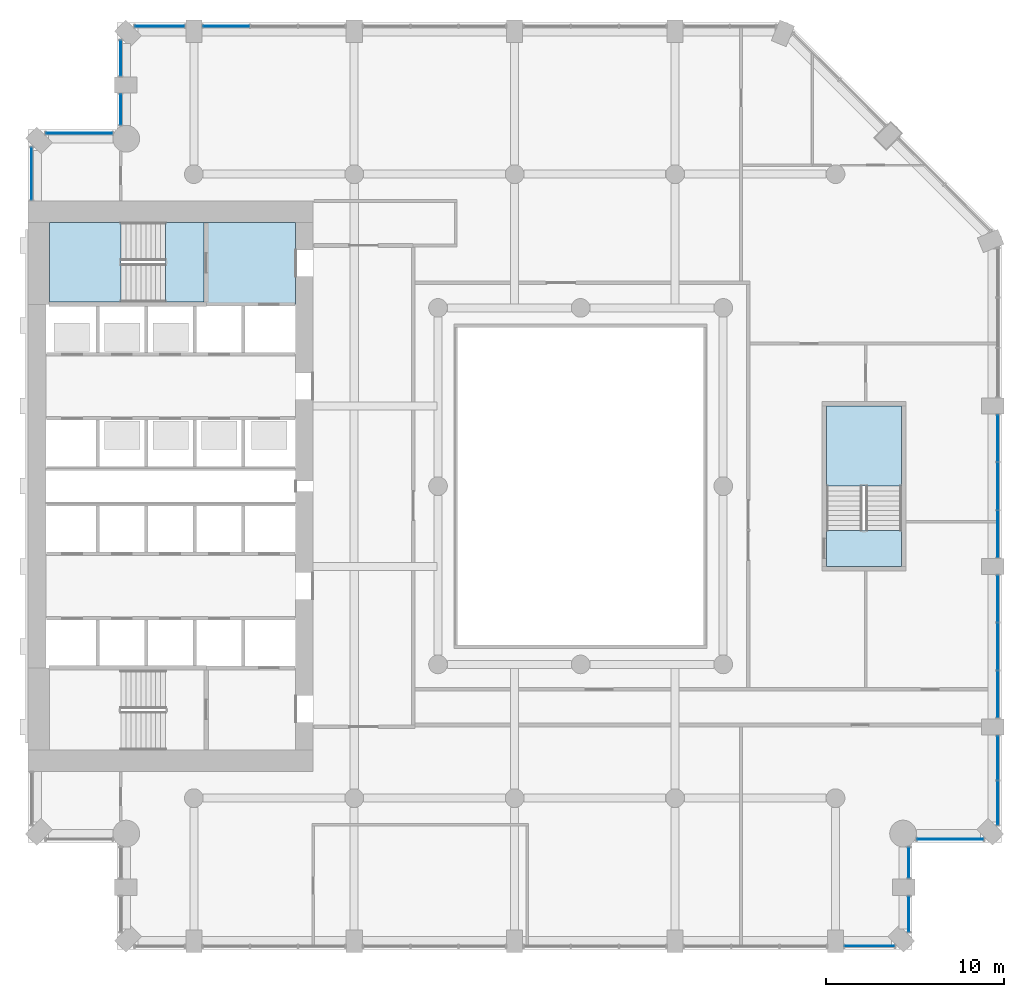
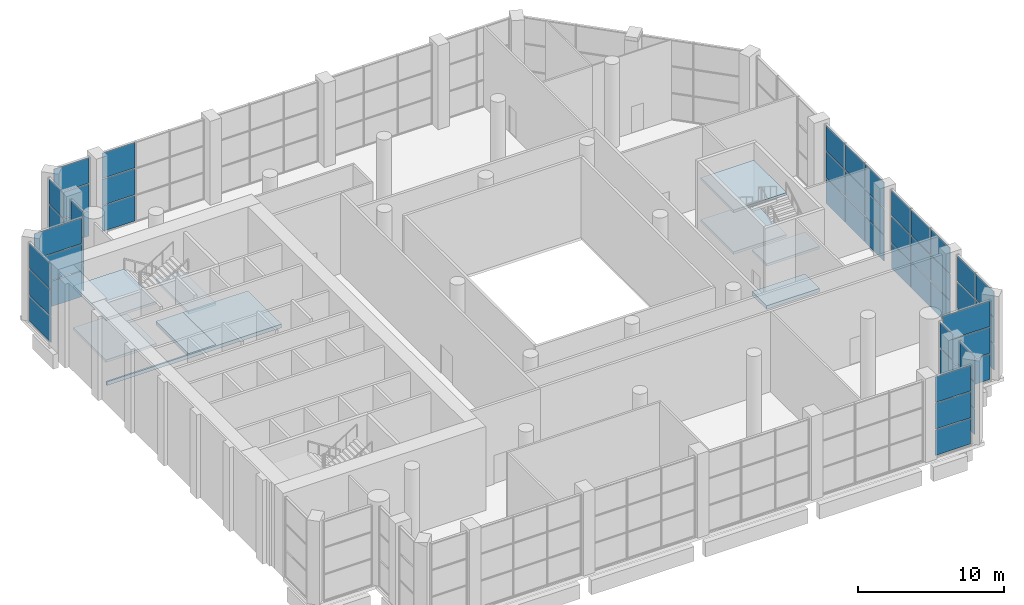
# One storey, part 10 of 22: 54 plates, 9 slabs, 15 elements without a shape of their own.
"""IFC4 building model written with IfcOpenShell, lengths in metres."""

from ifc_helpers import new_model, si_unit, direction, frame, origin, origin_2d, place, context, subcontext, project, spatial, polyline, rectangle, outline, extrude, material, layer, layer_set, type_object, element, aggregate, save


model = new_model("IFC4")

# Units and contexts
model_context = context("Model", 3, precision=1e-05, world=origin(), true_north=direction((0.0, 1.0)))
body_context = subcontext(model_context, "Body", "Model", "MODEL_VIEW")
ifc_project = project(units=[si_unit("LENGTHUNIT", "METRE"), si_unit("AREAUNIT", "SQUARE_METRE"), si_unit("VOLUMEUNIT", "CUBIC_METRE"), si_unit("PLANEANGLEUNIT", "RADIAN"), si_unit("MASSUNIT", "GRAM", prefix="KILO")], contexts=[model_context])

# Site, building, storey
site_placement = place(None, origin())
site = spatial("IfcSite", under=ifc_project, at=site_placement, CompositionType="ELEMENT")
building_placement = place(site_placement, origin())
building = spatial("IfcBuilding", under=site, at=building_placement, Name="Cypress Arch Tower", CompositionType="ELEMENT")
storey_placement = place(building_placement, frame((0.0, 0.0, 145.5)))
storey = spatial("IfcBuildingStorey", under=building, at=storey_placement, Name="L32", CompositionType="ELEMENT", Elevation=145.5)

# Slabs
ifc_material_1 = material(Name="Concrete C40/50", Category="concrete")
ifc_layer_1 = layer(ifc_material_1, 0.300048828125)
ifc_layer_set_1 = layer_set([ifc_layer_1], Name="Core floor CF300")
slab_type_1 = type_object("IfcSlabType", Name="Core floor CF300", PredefinedType="FLOOR", material=ifc_layer_set_1)
slab_1_placement = place(storey_placement, frame((0.0, 0.0, -0.300048828125)))
element("IfcSlab", 1, at=slab_1_placement, inside=storey, type_object=slab_type_1, Name="Core floor", PredefinedType="FLOOR", context=body_context, shape_type="SweptSolid", body=[
    extrude(outline(polyline([(-28.800048828125, 10.324951171875), (-28.800048828125, 10.199951171875), (-26.080078125, 10.199951171875), (-23.360107421875, 10.199951171875), (-20.639892578125, 10.199951171875), (-17.919921875, 10.199951171875), (-15.0, 10.199951171875), (-15.0, 14.800048828125), (-20.125, 14.800048828125), (-20.125, 10.324951171875), (-22.27490234375, 10.324951171875), (-28.800048828125, 10.324951171875)])), origin(), (0.0, 0.0, 1.0), 0.300048828125),
])
slab_2_placement = place(storey_placement, frame((0.0, 0.0, -0.300048828125)))
element("IfcSlab", 2, at=slab_2_placement, inside=storey, type_object=slab_type_1, Name="Core floor", PredefinedType="FLOOR", context=body_context, shape_type="SweptSolid", body=[
    extrude(outline(polyline([(-20.125, 14.800048828125), (-22.27490234375, 14.800048828125), (-22.27490234375, 10.324951171875), (-20.125, 10.324951171875), (-20.125, 14.800048828125)])), origin(), (0.0, 0.0, 1.0), 0.300048828125),
])
slab_3_placement = place(storey_placement, frame((0.0, 0.0, -0.300048828125)))
element("IfcSlab", 3, at=slab_3_placement, inside=storey, type_object=slab_type_1, Name="Stair floor landing", PredefinedType="FLOOR", context=body_context, shape_type="SweptSolid", body=[
    extrude(outline(polyline([(19.0, -4.5), (19.0, -2.5), (14.800048828125, -2.5), (14.800048828125, -4.5), (19.0, -4.5)])), origin(), (0.0, 0.0, 1.0), 0.300048828125),
])

# Curtain wall, plates
ifc_material_2 = material(Name="Anodised aluminium, bronze finish, solar control laminated double glazing", Category="aluminium")
curtain_wall_type = type_object("IfcCurtainWallType", Name="Curtain wall CW3 sky lobby glazing", PredefinedType="NOTDEFINED", material=ifc_material_2)
curtain_wall_1_placement = place(storey_placement, origin())
curtain_wall_1 = element("IfcCurtainWall", 4, at=curtain_wall_1_placement, inside=storey, type_object=curtain_wall_type, Name="Curtain wall L32 A00.0.1", PredefinedType="NOTDEFINED")
ifc_material_3 = material(Name="Solar control laminated double glazing", Category="glass")
ifc_layer_2 = layer(ifc_material_3, 0.0439453125)
ifc_layer_set_2 = layer_set([ifc_layer_2], Name="Glass panel CW3 44")
plate_type = type_object("IfcPlateType", Name="Glass panel CW3 44", PredefinedType="CURTAIN_PANEL", material=ifc_layer_set_2)
plate_1_placement = place(storey_placement, frame((-29.800048828125, 17.53173828125, 0.0751953125), z_axis=(0.0, 0.0, 1.0), x_axis=(0.0, -1.0, 0.0)))
plate_1 = element("IfcPlate", 5, at=plate_1_placement, type_object=plate_type, Name="CW3 panel 1.1", PredefinedType="CURTAIN_PANEL", context=body_context, shape_type="SweptSolid", body=[
    extrude(rectangle(XDim=2.91357421875, YDim=0.0439453125, at=origin_2d()), origin(), (0.0, 0.0, 1.0), 2.120849609375),
])
plate_2_placement = place(storey_placement, frame((-29.800048828125, 17.53173828125, 2.27099609375), z_axis=(0.0, 0.0, 1.0), x_axis=(0.0, -1.0, 0.0)))
plate_2 = element("IfcPlate", 6, at=plate_2_placement, type_object=plate_type, Name="CW3 panel 1.2", PredefinedType="CURTAIN_PANEL", context=body_context, shape_type="SweptSolid", body=[
    extrude(rectangle(XDim=2.91357421875, YDim=0.0439453125, at=origin_2d()), origin(), (0.0, 0.0, 1.0), 2.158447265625),
])
plate_3_placement = place(storey_placement, frame((-29.800048828125, 17.53173828125, 4.50439453125), z_axis=(0.0, 0.0, 1.0), x_axis=(0.0, -1.0, 0.0)))
plate_3 = element("IfcPlate", 7, at=plate_3_placement, type_object=plate_type, Name="CW3 panel 1.3", PredefinedType="CURTAIN_PANEL", context=body_context, shape_type="SweptSolid", body=[
    extrude(rectangle(XDim=2.91357421875, YDim=0.0439453125, at=origin_2d()), origin(), (0.0, 0.0, 1.0), 2.120849609375),
])
aggregate(curtain_wall_1, [plate_1, plate_2, plate_3])

curtain_wall_2_placement = place(storey_placement, origin())
curtain_wall_2 = element("IfcCurtainWall", 8, at=curtain_wall_2_placement, inside=storey, type_object=curtain_wall_type, Name="Curtain wall L32 A03.5.1", PredefinedType="NOTDEFINED")
plate_4_placement = place(storey_placement, frame((17.206787109375, -25.800048828125, 0.0751953125), z_axis=(0.0, 0.0, 1.0), x_axis=(1.0, 0.0, 0.0)))
plate_4 = element("IfcPlate", 9, at=plate_4_placement, type_object=plate_type, Name="CW3 panel 1.1", PredefinedType="CURTAIN_PANEL", context=body_context, shape_type="SweptSolid", body=[
    extrude(rectangle(XDim=2.763671875, YDim=0.0439453125, at=origin_2d()), origin(), (0.0, 0.0, 1.0), 2.120849609375),
])
plate_5_placement = place(storey_placement, frame((17.206787109375, -25.800048828125, 2.27099609375), z_axis=(0.0, 0.0, 1.0), x_axis=(1.0, 0.0, 0.0)))
plate_5 = element("IfcPlate", 10, at=plate_5_placement, type_object=plate_type, Name="CW3 panel 1.2", PredefinedType="CURTAIN_PANEL", context=body_context, shape_type="SweptSolid", body=[
    extrude(rectangle(XDim=2.763671875, YDim=0.0439453125, at=origin_2d()), origin(), (0.0, 0.0, 1.0), 2.158447265625),
])
plate_6_placement = place(storey_placement, frame((17.206787109375, -25.800048828125, 4.50439453125), z_axis=(0.0, 0.0, 1.0), x_axis=(1.0, 0.0, 0.0)))
plate_6 = element("IfcPlate", 11, at=plate_6_placement, type_object=plate_type, Name="CW3 panel 1.3", PredefinedType="CURTAIN_PANEL", context=body_context, shape_type="SweptSolid", body=[
    extrude(rectangle(XDim=2.763671875, YDim=0.0439453125, at=origin_2d()), origin(), (0.0, 0.0, 1.0), 2.120849609375),
])
aggregate(curtain_wall_2, [plate_4, plate_5, plate_6])

curtain_wall_3_placement = place(storey_placement, origin())
curtain_wall_3 = element("IfcCurtainWall", 12, at=curtain_wall_3_placement, inside=storey, type_object=curtain_wall_type, Name="Curtain wall L32 A04.0.1", PredefinedType="NOTDEFINED")
plate_7_placement = place(storey_placement, frame((19.39990234375, -24.0068359375, 0.0751953125), z_axis=(0.0, 0.0, 1.0), x_axis=(0.0, 1.0, 0.0)))
plate_7 = element("IfcPlate", 13, at=plate_7_placement, type_object=plate_type, Name="CW3 panel 1.1", PredefinedType="CURTAIN_PANEL", context=body_context, shape_type="SweptSolid", body=[
    extrude(rectangle(XDim=1.963623046875, YDim=0.0439453125, at=origin_2d()), origin(), (0.0, 0.0, 1.0), 2.120849609375),
])
plate_8_placement = place(storey_placement, frame((19.39990234375, -24.0068359375, 2.27099609375), z_axis=(0.0, 0.0, 1.0), x_axis=(0.0, 1.0, 0.0)))
plate_8 = element("IfcPlate", 14, at=plate_8_placement, type_object=plate_type, Name="CW3 panel 1.2", PredefinedType="CURTAIN_PANEL", context=body_context, shape_type="SweptSolid", body=[
    extrude(rectangle(XDim=1.963623046875, YDim=0.0439453125, at=origin_2d()), origin(), (0.0, 0.0, 1.0), 2.158447265625),
])
plate_9_placement = place(storey_placement, frame((19.39990234375, -24.0068359375, 4.50439453125), z_axis=(0.0, 0.0, 1.0), x_axis=(0.0, 1.0, 0.0)))
plate_9 = element("IfcPlate", 15, at=plate_9_placement, type_object=plate_type, Name="CW3 panel 1.3", PredefinedType="CURTAIN_PANEL", context=body_context, shape_type="SweptSolid", body=[
    extrude(rectangle(XDim=1.963623046875, YDim=0.0439453125, at=origin_2d()), origin(), (0.0, 0.0, 1.0), 2.120849609375),
])
aggregate(curtain_wall_3, [plate_7, plate_8, plate_9])

curtain_wall_4_placement = place(storey_placement, origin())
curtain_wall_4 = element("IfcCurtainWall", 16, at=curtain_wall_4_placement, inside=storey, type_object=curtain_wall_type, Name="Curtain wall L32 A04.1.1", PredefinedType="NOTDEFINED")
plate_10_placement = place(storey_placement, frame((19.39990234375, -21.12841796875, 0.0751953125), z_axis=(0.0, 0.0, 1.0), x_axis=(0.0, 1.0, 0.0)))
plate_10 = element("IfcPlate", 17, at=plate_10_placement, type_object=plate_type, Name="CW3 panel 1.1", PredefinedType="CURTAIN_PANEL", context=body_context, shape_type="SweptSolid", body=[
    extrude(rectangle(XDim=1.693115234375, YDim=0.0439453125, at=origin_2d()), origin(), (0.0, 0.0, 1.0), 2.120849609375),
])
plate_11_placement = place(storey_placement, frame((19.39990234375, -21.12841796875, 2.27099609375), z_axis=(0.0, 0.0, 1.0), x_axis=(0.0, 1.0, 0.0)))
plate_11 = element("IfcPlate", 18, at=plate_11_placement, type_object=plate_type, Name="CW3 panel 1.2", PredefinedType="CURTAIN_PANEL", context=body_context, shape_type="SweptSolid", body=[
    extrude(rectangle(XDim=1.693115234375, YDim=0.0439453125, at=origin_2d()), origin(), (0.0, 0.0, 1.0), 2.158447265625),
])
plate_12_placement = place(storey_placement, frame((19.39990234375, -21.12841796875, 4.50439453125), z_axis=(0.0, 0.0, 1.0), x_axis=(0.0, 1.0, 0.0)))
plate_12 = element("IfcPlate", 19, at=plate_12_placement, type_object=plate_type, Name="CW3 panel 1.3", PredefinedType="CURTAIN_PANEL", context=body_context, shape_type="SweptSolid", body=[
    extrude(rectangle(XDim=1.693115234375, YDim=0.0439453125, at=origin_2d()), origin(), (0.0, 0.0, 1.0), 2.120849609375),
])
aggregate(curtain_wall_4, [plate_10, plate_11, plate_12])

curtain_wall_5_placement = place(storey_placement, origin())
curtain_wall_5 = element("IfcCurtainWall", 20, at=curtain_wall_5_placement, inside=storey, type_object=curtain_wall_type, Name="Curtain wall L32 A05.0.1", PredefinedType="NOTDEFINED")
plate_13_placement = place(storey_placement, frame((21.7353515625, -19.800048828125, 0.0751953125), z_axis=(0.0, 0.0, 1.0), x_axis=(1.0, 0.0, 0.0)))
plate_13 = element("IfcPlate", 21, at=plate_13_placement, type_object=plate_type, Name="CW3 panel 1.1", PredefinedType="CURTAIN_PANEL", context=body_context, shape_type="SweptSolid", body=[
    extrude(rectangle(XDim=3.70654296875, YDim=0.0439453125, at=origin_2d()), origin(), (0.0, 0.0, 1.0), 2.120849609375),
])
plate_14_placement = place(storey_placement, frame((21.7353515625, -19.800048828125, 2.27099609375), z_axis=(0.0, 0.0, 1.0), x_axis=(1.0, 0.0, 0.0)))
plate_14 = element("IfcPlate", 22, at=plate_14_placement, type_object=plate_type, Name="CW3 panel 1.2", PredefinedType="CURTAIN_PANEL", context=body_context, shape_type="SweptSolid", body=[
    extrude(rectangle(XDim=3.70654296875, YDim=0.0439453125, at=origin_2d()), origin(), (0.0, 0.0, 1.0), 2.158447265625),
])
plate_15_placement = place(storey_placement, frame((21.7353515625, -19.800048828125, 4.50439453125), z_axis=(0.0, 0.0, 1.0), x_axis=(1.0, 0.0, 0.0)))
plate_15 = element("IfcPlate", 23, at=plate_15_placement, type_object=plate_type, Name="CW3 panel 1.3", PredefinedType="CURTAIN_PANEL", context=body_context, shape_type="SweptSolid", body=[
    extrude(rectangle(XDim=3.70654296875, YDim=0.0439453125, at=origin_2d()), origin(), (0.0, 0.0, 1.0), 2.120849609375),
])
aggregate(curtain_wall_5, [plate_13, plate_14, plate_15])

curtain_wall_6_placement = place(storey_placement, origin())
curtain_wall_6 = element("IfcCurtainWall", 24, at=curtain_wall_6_placement, inside=storey, type_object=curtain_wall_type, Name="Curtain wall L32 A06.0.1", PredefinedType="NOTDEFINED")
plate_16_placement = place(storey_placement, frame((24.39990234375, -17.766357421875, 0.0751953125), z_axis=(0.0, 0.0, 1.0), x_axis=(0.0, 1.0, 0.0)))
plate_16 = element("IfcPlate", 25, at=plate_16_placement, type_object=plate_type, Name="CW3 panel 1.1", PredefinedType="CURTAIN_PANEL", context=body_context, shape_type="SweptSolid", body=[
    extrude(rectangle(XDim=2.4443359375, YDim=0.0439453125, at=origin_2d()), origin(), (0.0, 0.0, 1.0), 2.120849609375),
])
plate_17_placement = place(storey_placement, frame((24.39990234375, -17.766357421875, 2.27099609375), z_axis=(0.0, 0.0, 1.0), x_axis=(0.0, 1.0, 0.0)))
plate_17 = element("IfcPlate", 26, at=plate_17_placement, type_object=plate_type, Name="CW3 panel 1.2", PredefinedType="CURTAIN_PANEL", context=body_context, shape_type="SweptSolid", body=[
    extrude(rectangle(XDim=2.4443359375, YDim=0.0439453125, at=origin_2d()), origin(), (0.0, 0.0, 1.0), 2.158447265625),
])
plate_18_placement = place(storey_placement, frame((24.39990234375, -17.766357421875, 4.50439453125), z_axis=(0.0, 0.0, 1.0), x_axis=(0.0, 1.0, 0.0)))
plate_18 = element("IfcPlate", 27, at=plate_18_placement, type_object=plate_type, Name="CW3 panel 1.3", PredefinedType="CURTAIN_PANEL", context=body_context, shape_type="SweptSolid", body=[
    extrude(rectangle(XDim=2.4443359375, YDim=0.0439453125, at=origin_2d()), origin(), (0.0, 0.0, 1.0), 2.120849609375),
])
plate_19_placement = place(storey_placement, frame((24.39990234375, -15.2470703125, 0.0751953125), z_axis=(0.0, 0.0, 1.0), x_axis=(0.0, 1.0, 0.0)))
plate_19 = element("IfcPlate", 28, at=plate_19_placement, type_object=plate_type, Name="CW3 panel 2.1", PredefinedType="CURTAIN_PANEL", context=body_context, shape_type="SweptSolid", body=[
    extrude(rectangle(XDim=2.4443359375, YDim=0.0439453125, at=origin_2d()), origin(), (0.0, 0.0, 1.0), 2.120849609375),
])
plate_20_placement = place(storey_placement, frame((24.39990234375, -15.2470703125, 2.27099609375), z_axis=(0.0, 0.0, 1.0), x_axis=(0.0, 1.0, 0.0)))
plate_20 = element("IfcPlate", 29, at=plate_20_placement, type_object=plate_type, Name="CW3 panel 2.2", PredefinedType="CURTAIN_PANEL", context=body_context, shape_type="SweptSolid", body=[
    extrude(rectangle(XDim=2.4443359375, YDim=0.0439453125, at=origin_2d()), origin(), (0.0, 0.0, 1.0), 2.158447265625),
])
plate_21_placement = place(storey_placement, frame((24.39990234375, -15.2470703125, 4.50439453125), z_axis=(0.0, 0.0, 1.0), x_axis=(0.0, 1.0, 0.0)))
plate_21 = element("IfcPlate", 30, at=plate_21_placement, type_object=plate_type, Name="CW3 panel 2.3", PredefinedType="CURTAIN_PANEL", context=body_context, shape_type="SweptSolid", body=[
    extrude(rectangle(XDim=2.4443359375, YDim=0.0439453125, at=origin_2d()), origin(), (0.0, 0.0, 1.0), 2.120849609375),
])
aggregate(curtain_wall_6, [plate_16, plate_17, plate_18, plate_19, plate_20, plate_21])

curtain_wall_7_placement = place(storey_placement, origin())
curtain_wall_7 = element("IfcCurtainWall", 31, at=curtain_wall_7_placement, inside=storey, type_object=curtain_wall_type, Name="Curtain wall L32 A06.1.1", PredefinedType="NOTDEFINED")
plate_22_placement = place(storey_placement, frame((24.39990234375, -11.68115234375, 0.0751953125), z_axis=(0.0, 0.0, 1.0), x_axis=(0.0, 1.0, 0.0)))
plate_22 = element("IfcPlate", 32, at=plate_22_placement, type_object=plate_type, Name="CW3 panel 1.1", PredefinedType="CURTAIN_PANEL", context=body_context, shape_type="SweptSolid", body=[
    extrude(rectangle(XDim=2.58740234375, YDim=0.0439453125, at=origin_2d()), origin(), (0.0, 0.0, 1.0), 2.120849609375),
])
plate_23_placement = place(storey_placement, frame((24.39990234375, -11.68115234375, 2.27099609375), z_axis=(0.0, 0.0, 1.0), x_axis=(0.0, 1.0, 0.0)))
plate_23 = element("IfcPlate", 33, at=plate_23_placement, type_object=plate_type, Name="CW3 panel 1.2", PredefinedType="CURTAIN_PANEL", context=body_context, shape_type="SweptSolid", body=[
    extrude(rectangle(XDim=2.58740234375, YDim=0.0439453125, at=origin_2d()), origin(), (0.0, 0.0, 1.0), 2.158447265625),
])
plate_24_placement = place(storey_placement, frame((24.39990234375, -11.68115234375, 4.50439453125), z_axis=(0.0, 0.0, 1.0), x_axis=(0.0, 1.0, 0.0)))
plate_24 = element("IfcPlate", 34, at=plate_24_placement, type_object=plate_type, Name="CW3 panel 1.3", PredefinedType="CURTAIN_PANEL", context=body_context, shape_type="SweptSolid", body=[
    extrude(rectangle(XDim=2.58740234375, YDim=0.0439453125, at=origin_2d()), origin(), (0.0, 0.0, 1.0), 2.120849609375),
])
plate_25_placement = place(storey_placement, frame((24.39990234375, -9.0, 0.0751953125), z_axis=(0.0, 0.0, 1.0), x_axis=(0.0, 1.0, 0.0)))
plate_25 = element("IfcPlate", 35, at=plate_25_placement, type_object=plate_type, Name="CW3 panel 2.1", PredefinedType="CURTAIN_PANEL", context=body_context, shape_type="SweptSolid", body=[
    extrude(rectangle(XDim=2.625, YDim=0.0439453125, at=origin_2d()), origin(), (0.0, 0.0, 1.0), 2.120849609375),
])
plate_26_placement = place(storey_placement, frame((24.39990234375, -9.0, 2.27099609375), z_axis=(0.0, 0.0, 1.0), x_axis=(0.0, 1.0, 0.0)))
plate_26 = element("IfcPlate", 36, at=plate_26_placement, type_object=plate_type, Name="CW3 panel 2.2", PredefinedType="CURTAIN_PANEL", context=body_context, shape_type="SweptSolid", body=[
    extrude(rectangle(XDim=2.625, YDim=0.0439453125, at=origin_2d()), origin(), (0.0, 0.0, 1.0), 2.158447265625),
])
plate_27_placement = place(storey_placement, frame((24.39990234375, -9.0, 4.50439453125), z_axis=(0.0, 0.0, 1.0), x_axis=(0.0, 1.0, 0.0)))
plate_27 = element("IfcPlate", 37, at=plate_27_placement, type_object=plate_type, Name="CW3 panel 2.3", PredefinedType="CURTAIN_PANEL", context=body_context, shape_type="SweptSolid", body=[
    extrude(rectangle(XDim=2.625, YDim=0.0439453125, at=origin_2d()), origin(), (0.0, 0.0, 1.0), 2.120849609375),
])
plate_28_placement = place(storey_placement, frame((24.39990234375, -6.31884765625, 0.0751953125), z_axis=(0.0, 0.0, 1.0), x_axis=(0.0, 1.0, 0.0)))
plate_28 = element("IfcPlate", 38, at=plate_28_placement, type_object=plate_type, Name="CW3 panel 3.1", PredefinedType="CURTAIN_PANEL", context=body_context, shape_type="SweptSolid", body=[
    extrude(rectangle(XDim=2.58740234375, YDim=0.0439453125, at=origin_2d()), origin(), (0.0, 0.0, 1.0), 2.120849609375),
])
plate_29_placement = place(storey_placement, frame((24.39990234375, -6.31884765625, 2.27099609375), z_axis=(0.0, 0.0, 1.0), x_axis=(0.0, 1.0, 0.0)))
plate_29 = element("IfcPlate", 39, at=plate_29_placement, type_object=plate_type, Name="CW3 panel 3.2", PredefinedType="CURTAIN_PANEL", context=body_context, shape_type="SweptSolid", body=[
    extrude(rectangle(XDim=2.58740234375, YDim=0.0439453125, at=origin_2d()), origin(), (0.0, 0.0, 1.0), 2.158447265625),
])
plate_30_placement = place(storey_placement, frame((24.39990234375, -6.31884765625, 4.50439453125), z_axis=(0.0, 0.0, 1.0), x_axis=(0.0, 1.0, 0.0)))
plate_30 = element("IfcPlate", 40, at=plate_30_placement, type_object=plate_type, Name="CW3 panel 3.3", PredefinedType="CURTAIN_PANEL", context=body_context, shape_type="SweptSolid", body=[
    extrude(rectangle(XDim=2.58740234375, YDim=0.0439453125, at=origin_2d()), origin(), (0.0, 0.0, 1.0), 2.120849609375),
])
aggregate(curtain_wall_7, [plate_22, plate_23, plate_24, plate_25, plate_26, plate_27, plate_28, plate_29, plate_30])

curtain_wall_8_placement = place(storey_placement, origin())
curtain_wall_8 = element("IfcCurtainWall", 41, at=curtain_wall_8_placement, inside=storey, type_object=curtain_wall_type, Name="Curtain wall L32 A06.2.1", PredefinedType="NOTDEFINED")
plate_31_placement = place(storey_placement, frame((24.39990234375, -2.68115234375, 0.0751953125), z_axis=(0.0, 0.0, 1.0), x_axis=(0.0, 1.0, 0.0)))
plate_31 = element("IfcPlate", 42, at=plate_31_placement, type_object=plate_type, Name="CW3 panel 1.1", PredefinedType="CURTAIN_PANEL", context=body_context, shape_type="SweptSolid", body=[
    extrude(rectangle(XDim=2.58740234375, YDim=0.0439453125, at=origin_2d()), origin(), (0.0, 0.0, 1.0), 2.120849609375),
])
plate_32_placement = place(storey_placement, frame((24.39990234375, -2.68115234375, 2.27099609375), z_axis=(0.0, 0.0, 1.0), x_axis=(0.0, 1.0, 0.0)))
plate_32 = element("IfcPlate", 43, at=plate_32_placement, type_object=plate_type, Name="CW3 panel 1.2", PredefinedType="CURTAIN_PANEL", context=body_context, shape_type="SweptSolid", body=[
    extrude(rectangle(XDim=2.58740234375, YDim=0.0439453125, at=origin_2d()), origin(), (0.0, 0.0, 1.0), 2.158447265625),
])
plate_33_placement = place(storey_placement, frame((24.39990234375, -2.68115234375, 4.50439453125), z_axis=(0.0, 0.0, 1.0), x_axis=(0.0, 1.0, 0.0)))
plate_33 = element("IfcPlate", 44, at=plate_33_placement, type_object=plate_type, Name="CW3 panel 1.3", PredefinedType="CURTAIN_PANEL", context=body_context, shape_type="SweptSolid", body=[
    extrude(rectangle(XDim=2.58740234375, YDim=0.0439453125, at=origin_2d()), origin(), (0.0, 0.0, 1.0), 2.120849609375),
])
plate_34_placement = place(storey_placement, frame((24.39990234375, 0.0, 0.0751953125), z_axis=(0.0, 0.0, 1.0), x_axis=(0.0, 1.0, 0.0)))
plate_34 = element("IfcPlate", 45, at=plate_34_placement, type_object=plate_type, Name="CW3 panel 2.1", PredefinedType="CURTAIN_PANEL", context=body_context, shape_type="SweptSolid", body=[
    extrude(rectangle(XDim=2.625, YDim=0.0439453125, at=origin_2d()), origin(), (0.0, 0.0, 1.0), 2.120849609375),
])
plate_35_placement = place(storey_placement, frame((24.39990234375, 0.0, 2.27099609375), z_axis=(0.0, 0.0, 1.0), x_axis=(0.0, 1.0, 0.0)))
plate_35 = element("IfcPlate", 46, at=plate_35_placement, type_object=plate_type, Name="CW3 panel 2.2", PredefinedType="CURTAIN_PANEL", context=body_context, shape_type="SweptSolid", body=[
    extrude(rectangle(XDim=2.625, YDim=0.0439453125, at=origin_2d()), origin(), (0.0, 0.0, 1.0), 2.158447265625),
])
plate_36_placement = place(storey_placement, frame((24.39990234375, 0.0, 4.50439453125), z_axis=(0.0, 0.0, 1.0), x_axis=(0.0, 1.0, 0.0)))
plate_36 = element("IfcPlate", 47, at=plate_36_placement, type_object=plate_type, Name="CW3 panel 2.3", PredefinedType="CURTAIN_PANEL", context=body_context, shape_type="SweptSolid", body=[
    extrude(rectangle(XDim=2.625, YDim=0.0439453125, at=origin_2d()), origin(), (0.0, 0.0, 1.0), 2.120849609375),
])
plate_37_placement = place(storey_placement, frame((24.39990234375, 2.68115234375, 0.0751953125), z_axis=(0.0, 0.0, 1.0), x_axis=(0.0, 1.0, 0.0)))
plate_37 = element("IfcPlate", 48, at=plate_37_placement, type_object=plate_type, Name="CW3 panel 3.1", PredefinedType="CURTAIN_PANEL", context=body_context, shape_type="SweptSolid", body=[
    extrude(rectangle(XDim=2.58740234375, YDim=0.0439453125, at=origin_2d()), origin(), (0.0, 0.0, 1.0), 2.120849609375),
])
plate_38_placement = place(storey_placement, frame((24.39990234375, 2.68115234375, 2.27099609375), z_axis=(0.0, 0.0, 1.0), x_axis=(0.0, 1.0, 0.0)))
plate_38 = element("IfcPlate", 49, at=plate_38_placement, type_object=plate_type, Name="CW3 panel 3.2", PredefinedType="CURTAIN_PANEL", context=body_context, shape_type="SweptSolid", body=[
    extrude(rectangle(XDim=2.58740234375, YDim=0.0439453125, at=origin_2d()), origin(), (0.0, 0.0, 1.0), 2.158447265625),
])
plate_39_placement = place(storey_placement, frame((24.39990234375, 2.68115234375, 4.50439453125), z_axis=(0.0, 0.0, 1.0), x_axis=(0.0, 1.0, 0.0)))
plate_39 = element("IfcPlate", 50, at=plate_39_placement, type_object=plate_type, Name="CW3 panel 3.3", PredefinedType="CURTAIN_PANEL", context=body_context, shape_type="SweptSolid", body=[
    extrude(rectangle(XDim=2.58740234375, YDim=0.0439453125, at=origin_2d()), origin(), (0.0, 0.0, 1.0), 2.120849609375),
])
aggregate(curtain_wall_8, [plate_31, plate_32, plate_33, plate_34, plate_35, plate_36, plate_37, plate_38, plate_39])

curtain_wall_9_placement = place(storey_placement, origin())
curtain_wall_9 = element("IfcCurtainWall", 51, at=curtain_wall_9_placement, inside=storey, type_object=curtain_wall_type, Name="Curtain wall L32 A08.3.1", PredefinedType="NOTDEFINED")
plate_40_placement = place(storey_placement, frame((-18.88134765625, 25.800048828125, 0.0751953125), z_axis=(0.0, 0.0, 1.0), x_axis=(-1.0, 0.0, 0.0)))
plate_40 = element("IfcPlate", 52, at=plate_40_placement, type_object=plate_type, Name="CW3 panel 3.1", PredefinedType="CURTAIN_PANEL", context=body_context, shape_type="SweptSolid", body=[
    extrude(rectangle(XDim=2.58740234375, YDim=0.0439453125, at=origin_2d()), origin(), (0.0, 0.0, 1.0), 2.120849609375),
])
plate_41_placement = place(storey_placement, frame((-18.88134765625, 25.800048828125, 2.27099609375), z_axis=(0.0, 0.0, 1.0), x_axis=(-1.0, 0.0, 0.0)))
plate_41 = element("IfcPlate", 53, at=plate_41_placement, type_object=plate_type, Name="CW3 panel 3.2", PredefinedType="CURTAIN_PANEL", context=body_context, shape_type="SweptSolid", body=[
    extrude(rectangle(XDim=2.58740234375, YDim=0.0439453125, at=origin_2d()), origin(), (0.0, 0.0, 1.0), 2.158447265625),
])
plate_42_placement = place(storey_placement, frame((-18.88134765625, 25.800048828125, 4.50439453125), z_axis=(0.0, 0.0, 1.0), x_axis=(-1.0, 0.0, 0.0)))
plate_42 = element("IfcPlate", 54, at=plate_42_placement, type_object=plate_type, Name="CW3 panel 3.3", PredefinedType="CURTAIN_PANEL", context=body_context, shape_type="SweptSolid", body=[
    extrude(rectangle(XDim=2.58740234375, YDim=0.0439453125, at=origin_2d()), origin(), (0.0, 0.0, 1.0), 2.120849609375),
])
aggregate(curtain_wall_9, [plate_40, plate_41, plate_42])

curtain_wall_10_placement = place(storey_placement, origin())
curtain_wall_10 = element("IfcCurtainWall", 55, at=curtain_wall_10_placement, inside=storey, type_object=curtain_wall_type, Name="Curtain wall L32 A08.4.1", PredefinedType="NOTDEFINED")
plate_43_placement = place(storey_placement, frame((-22.606689453125, 25.800048828125, 0.0751953125), z_axis=(0.0, 0.0, 1.0), x_axis=(-1.0, 0.0, 0.0)))
plate_43 = element("IfcPlate", 56, at=plate_43_placement, type_object=plate_type, Name="CW3 panel 1.1", PredefinedType="CURTAIN_PANEL", context=body_context, shape_type="SweptSolid", body=[
    extrude(rectangle(XDim=2.763671875, YDim=0.0439453125, at=origin_2d()), origin(), (0.0, 0.0, 1.0), 2.120849609375),
])
plate_44_placement = place(storey_placement, frame((-22.606689453125, 25.800048828125, 2.27099609375), z_axis=(0.0, 0.0, 1.0), x_axis=(-1.0, 0.0, 0.0)))
plate_44 = element("IfcPlate", 57, at=plate_44_placement, type_object=plate_type, Name="CW3 panel 1.2", PredefinedType="CURTAIN_PANEL", context=body_context, shape_type="SweptSolid", body=[
    extrude(rectangle(XDim=2.763671875, YDim=0.0439453125, at=origin_2d()), origin(), (0.0, 0.0, 1.0), 2.158447265625),
])
plate_45_placement = place(storey_placement, frame((-22.606689453125, 25.800048828125, 4.50439453125), z_axis=(0.0, 0.0, 1.0), x_axis=(-1.0, 0.0, 0.0)))
plate_45 = element("IfcPlate", 58, at=plate_45_placement, type_object=plate_type, Name="CW3 panel 1.3", PredefinedType="CURTAIN_PANEL", context=body_context, shape_type="SweptSolid", body=[
    extrude(rectangle(XDim=2.763671875, YDim=0.0439453125, at=origin_2d()), origin(), (0.0, 0.0, 1.0), 2.120849609375),
])
aggregate(curtain_wall_10, [plate_43, plate_44, plate_45])

curtain_wall_11_placement = place(storey_placement, origin())
curtain_wall_11 = element("IfcCurtainWall", 59, at=curtain_wall_11_placement, inside=storey, type_object=curtain_wall_type, Name="Curtain wall L32 A09.0.1", PredefinedType="NOTDEFINED")
plate_46_placement = place(storey_placement, frame((-24.800048828125, 24.0068359375, 0.0751953125), z_axis=(0.0, 0.0, 1.0), x_axis=(0.0, -1.0, 0.0)))
plate_46 = element("IfcPlate", 60, at=plate_46_placement, type_object=plate_type, Name="CW3 panel 1.1", PredefinedType="CURTAIN_PANEL", context=body_context, shape_type="SweptSolid", body=[
    extrude(rectangle(XDim=1.963623046875, YDim=0.0439453125, at=origin_2d()), origin(), (0.0, 0.0, 1.0), 2.120849609375),
])
plate_47_placement = place(storey_placement, frame((-24.800048828125, 24.0068359375, 2.27099609375), z_axis=(0.0, 0.0, 1.0), x_axis=(0.0, -1.0, 0.0)))
plate_47 = element("IfcPlate", 61, at=plate_47_placement, type_object=plate_type, Name="CW3 panel 1.2", PredefinedType="CURTAIN_PANEL", context=body_context, shape_type="SweptSolid", body=[
    extrude(rectangle(XDim=1.963623046875, YDim=0.0439453125, at=origin_2d()), origin(), (0.0, 0.0, 1.0), 2.158447265625),
])
plate_48_placement = place(storey_placement, frame((-24.800048828125, 24.0068359375, 4.50439453125), z_axis=(0.0, 0.0, 1.0), x_axis=(0.0, -1.0, 0.0)))
plate_48 = element("IfcPlate", 62, at=plate_48_placement, type_object=plate_type, Name="CW3 panel 1.3", PredefinedType="CURTAIN_PANEL", context=body_context, shape_type="SweptSolid", body=[
    extrude(rectangle(XDim=1.963623046875, YDim=0.0439453125, at=origin_2d()), origin(), (0.0, 0.0, 1.0), 2.120849609375),
])
aggregate(curtain_wall_11, [plate_46, plate_47, plate_48])

curtain_wall_12_placement = place(storey_placement, origin())
curtain_wall_12 = element("IfcCurtainWall", 63, at=curtain_wall_12_placement, inside=storey, type_object=curtain_wall_type, Name="Curtain wall L32 A09.1.1", PredefinedType="NOTDEFINED")
plate_49_placement = place(storey_placement, frame((-24.800048828125, 21.12841796875, 0.0751953125), z_axis=(0.0, 0.0, 1.0), x_axis=(0.0, -1.0, 0.0)))
plate_49 = element("IfcPlate", 64, at=plate_49_placement, type_object=plate_type, Name="CW3 panel 1.1", PredefinedType="CURTAIN_PANEL", context=body_context, shape_type="SweptSolid", body=[
    extrude(rectangle(XDim=1.693115234375, YDim=0.0439453125, at=origin_2d()), origin(), (0.0, 0.0, 1.0), 2.120849609375),
])
plate_50_placement = place(storey_placement, frame((-24.800048828125, 21.12841796875, 2.27099609375), z_axis=(0.0, 0.0, 1.0), x_axis=(0.0, -1.0, 0.0)))
plate_50 = element("IfcPlate", 65, at=plate_50_placement, type_object=plate_type, Name="CW3 panel 1.2", PredefinedType="CURTAIN_PANEL", context=body_context, shape_type="SweptSolid", body=[
    extrude(rectangle(XDim=1.693115234375, YDim=0.0439453125, at=origin_2d()), origin(), (0.0, 0.0, 1.0), 2.158447265625),
])
plate_51_placement = place(storey_placement, frame((-24.800048828125, 21.12841796875, 4.50439453125), z_axis=(0.0, 0.0, 1.0), x_axis=(0.0, -1.0, 0.0)))
plate_51 = element("IfcPlate", 66, at=plate_51_placement, type_object=plate_type, Name="CW3 panel 1.3", PredefinedType="CURTAIN_PANEL", context=body_context, shape_type="SweptSolid", body=[
    extrude(rectangle(XDim=1.693115234375, YDim=0.0439453125, at=origin_2d()), origin(), (0.0, 0.0, 1.0), 2.120849609375),
])
aggregate(curtain_wall_12, [plate_49, plate_50, plate_51])

curtain_wall_13_placement = place(storey_placement, origin())
curtain_wall_13 = element("IfcCurtainWall", 67, at=curtain_wall_13_placement, inside=storey, type_object=curtain_wall_type, Name="Curtain wall L32 A10.0.1", PredefinedType="NOTDEFINED")
plate_52_placement = place(storey_placement, frame((-27.13525390625, 19.800048828125, 0.0751953125), z_axis=(0.0, 0.0, 1.0), x_axis=(-1.0, 0.0, 0.0)))
plate_52 = element("IfcPlate", 68, at=plate_52_placement, type_object=plate_type, Name="CW3 panel 1.1", PredefinedType="CURTAIN_PANEL", context=body_context, shape_type="SweptSolid", body=[
    extrude(rectangle(XDim=3.70654296875, YDim=0.0439453125, at=origin_2d()), origin(), (0.0, 0.0, 1.0), 2.120849609375),
])
plate_53_placement = place(storey_placement, frame((-27.13525390625, 19.800048828125, 2.27099609375), z_axis=(0.0, 0.0, 1.0), x_axis=(-1.0, 0.0, 0.0)))
plate_53 = element("IfcPlate", 69, at=plate_53_placement, type_object=plate_type, Name="CW3 panel 1.2", PredefinedType="CURTAIN_PANEL", context=body_context, shape_type="SweptSolid", body=[
    extrude(rectangle(XDim=3.70654296875, YDim=0.0439453125, at=origin_2d()), origin(), (0.0, 0.0, 1.0), 2.158447265625),
])
plate_54_placement = place(storey_placement, frame((-27.13525390625, 19.800048828125, 4.50439453125), z_axis=(0.0, 0.0, 1.0), x_axis=(-1.0, 0.0, 0.0)))
plate_54 = element("IfcPlate", 70, at=plate_54_placement, type_object=plate_type, Name="CW3 panel 1.3", PredefinedType="CURTAIN_PANEL", context=body_context, shape_type="SweptSolid", body=[
    extrude(rectangle(XDim=3.70654296875, YDim=0.0439453125, at=origin_2d()), origin(), (0.0, 0.0, 1.0), 2.120849609375),
])
aggregate(curtain_wall_13, [plate_52, plate_53, plate_54])

# Stair, slabs
ifc_material_4 = material(Name="Concrete C40/50", Category="concrete")
stair_type_1 = type_object("IfcStairType", Name="Exit stair ES1750-215", PredefinedType="HALF_TURN_STAIR", material=ifc_material_4)
stair_1_placement = place(storey_placement, origin())
stair_1 = element("IfcStair", 71, at=stair_1_placement, inside=storey, type_object=stair_type_1, Name="L32 Exit stair B", PredefinedType="HALF_TURN_STAIR")
ifc_material_5 = material(Name="Concrete C40/50", Category="concrete")
ifc_layer_3 = layer(ifc_material_5, 0.199951171875)
ifc_layer_set_3 = layer_set([ifc_layer_3], Name="Stair landing SL200")
slab_type_2 = type_object("IfcSlabType", Name="Stair landing SL200", PredefinedType="LANDING", material=ifc_layer_set_3)
slab_4_placement = place(storey_placement, frame((0.0, 0.0, 1.550048828125)))
slab_4 = element("IfcSlab", 72, at=slab_4_placement, type_object=slab_type_2, Name="B landing 1", PredefinedType="LANDING", context=body_context, shape_type="SweptSolid", body=[
    extrude(outline(polyline([(-24.794921875, 14.800048828125), (-28.800048828125, 14.800048828125), (-28.800048828125, 10.324951171875), (-24.794921875, 10.324951171875), (-24.794921875, 14.800048828125)])), origin(), (0.0, 0.0, 1.0), 0.199951171875),
])
slab_5_placement = place(storey_placement, frame((0.0, 0.0, 3.300048828125)))
slab_5 = element("IfcSlab", 73, at=slab_5_placement, type_object=slab_type_2, Name="B landing 2", PredefinedType="LANDING", context=body_context, shape_type="SweptSolid", body=[
    extrude(outline(polyline([(-20.125, 14.800048828125), (-22.27490234375, 14.800048828125), (-22.27490234375, 10.324951171875), (-20.125, 10.324951171875), (-20.125, 14.800048828125)])), origin(), (0.0, 0.0, 1.0), 0.199951171875),
])
slab_6_placement = place(storey_placement, frame((0.0, 0.0, 5.050048828125)))
slab_6 = element("IfcSlab", 74, at=slab_6_placement, type_object=slab_type_2, Name="B landing 3", PredefinedType="LANDING", context=body_context, shape_type="SweptSolid", body=[
    extrude(outline(polyline([(-24.794921875, 14.800048828125), (-28.800048828125, 14.800048828125), (-28.800048828125, 10.324951171875), (-24.794921875, 10.324951171875), (-24.794921875, 14.800048828125)])), origin(), (0.0, 0.0, 1.0), 0.199951171875),
])
aggregate(stair_1, [slab_4, slab_5, slab_6])

ifc_material_6 = material(Name="Concrete C40/50", Category="concrete")
stair_type_2 = type_object("IfcStairType", Name="Exit stair ES1750-200", PredefinedType="HALF_TURN_STAIR", material=ifc_material_6)
stair_2_placement = place(storey_placement, origin())
stair_2 = element("IfcStair", 75, at=stair_2_placement, inside=storey, type_object=stair_type_2, Name="L32 Exit stair C", PredefinedType="HALF_TURN_STAIR")
slab_7_placement = place(storey_placement, frame((0.0, 0.0, 1.550048828125)))
slab_7 = element("IfcSlab", 76, at=slab_7_placement, type_object=slab_type_2, Name="C landing 1", PredefinedType="LANDING", context=body_context, shape_type="SweptSolid", body=[
    extrude(outline(polyline([(19.0, 0.02001953125), (19.0, 4.5), (14.800048828125, 4.5), (14.800048828125, 0.02001953125), (19.0, 0.02001953125)])), origin(), (0.0, 0.0, 1.0), 0.199951171875),
])
slab_8_placement = place(storey_placement, frame((0.0, 0.0, 3.300048828125)))
slab_8 = element("IfcSlab", 77, at=slab_8_placement, type_object=slab_type_2, Name="C landing 2", PredefinedType="LANDING", context=body_context, shape_type="SweptSolid", body=[
    extrude(outline(polyline([(19.0, -4.5), (19.0, -2.5), (14.800048828125, -2.5), (14.800048828125, -4.5), (19.0, -4.5)])), origin(), (0.0, 0.0, 1.0), 0.199951171875),
])
slab_9_placement = place(storey_placement, frame((0.0, 0.0, 5.050048828125)))
slab_9 = element("IfcSlab", 78, at=slab_9_placement, type_object=slab_type_2, Name="C landing 3", PredefinedType="LANDING", context=body_context, shape_type="SweptSolid", body=[
    extrude(outline(polyline([(19.0, 0.02001953125), (19.0, 4.5), (14.800048828125, 4.5), (14.800048828125, 0.02001953125), (19.0, 0.02001953125)])), origin(), (0.0, 0.0, 1.0), 0.199951171875),
])
aggregate(stair_2, [slab_7, slab_8, slab_9])

save(model, "model.ifc")
